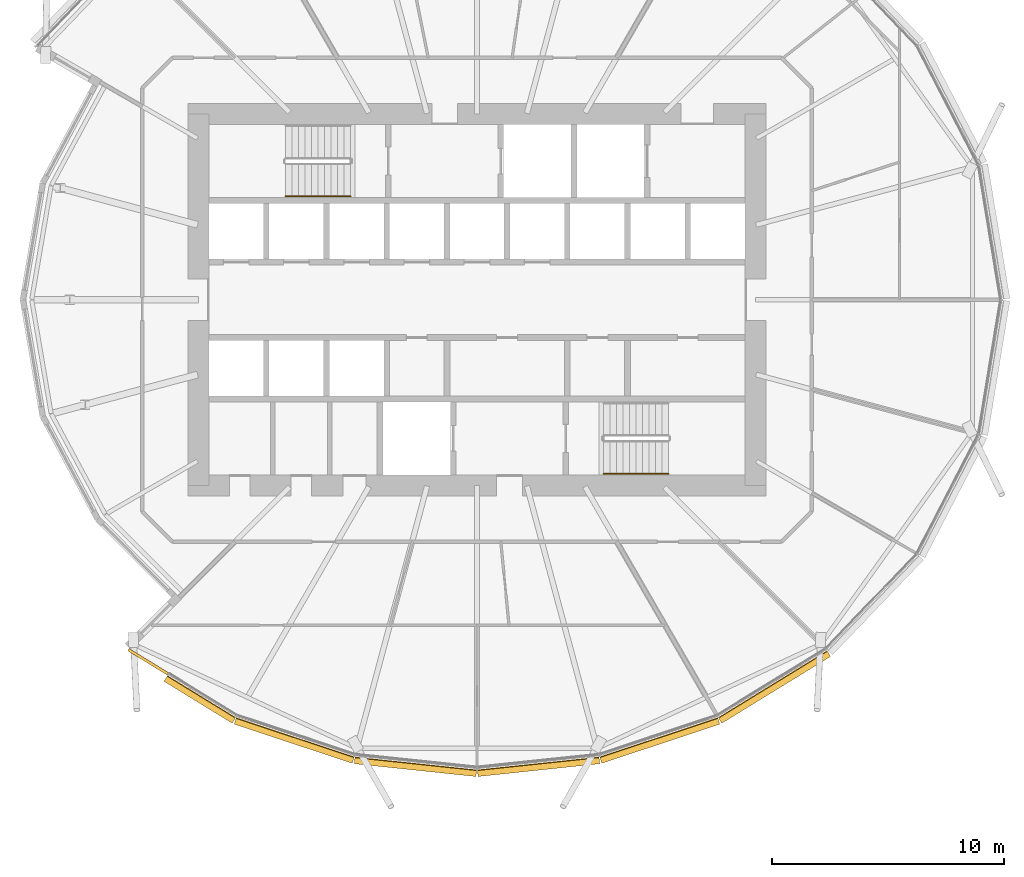
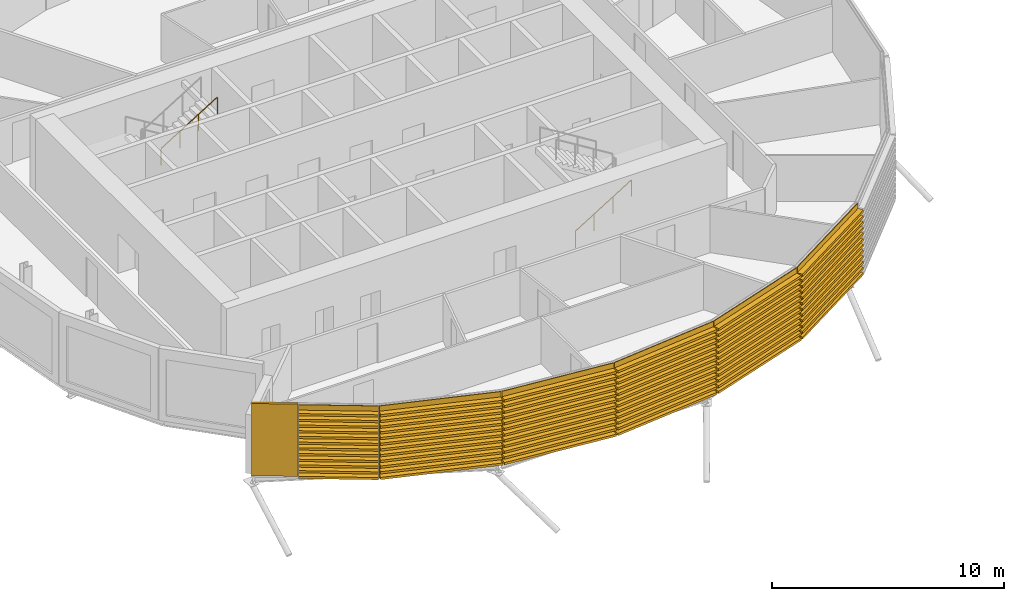
# One storey, part 33 of 38: 7 coverings, 2 railings.
"""IFC4 building model written with IfcOpenShell, lengths in metres."""

import ifcopenshell
import ifcopenshell.guid

model = None  # the IFC model being written
_history = None  # IfcOwnerHistory: only IFC2X3 demands one
_inside = {}  # id of a spatial element -> (the spatial element, [elements in it])
_under = {}  # id of a project, library or spatial element -> (it, [spatial elements below it])
_declared = {}  # id of a project -> (the project, [libraries it declares])
_typed = {}  # id of a type object -> (the type object, [elements of that type])
_made_of = {}  # id of a material, layer set ... -> (it, [elements and type objects made of it])


def new_model(schema):
    """Start an empty IFC model of exactly this schema.

    Asked for "IFC4X3", IfcOpenShell would pick the latest addendum, in which some entities
    have other attributes; the version numbers below select the first issue.
    IFC2X3 requires an IfcOwnerHistory on every rooted entity: one is made here for all.
    """
    global model, _history
    if schema == "IFC4X3":
        model = ifcopenshell.file(schema_version=(4, 3, 0, 0))
    else:
        model = ifcopenshell.file(schema=schema)
    _inside.clear()
    _under.clear()
    _declared.clear()
    _typed.clear()
    _made_of.clear()
    _history = None
    if model.schema == "IFC2X3":
        org = make("IfcOrganization", Name="unknown")
        user = make(
            "IfcPersonAndOrganization",
            ThePerson=make("IfcPerson", FamilyName="unknown"),
            TheOrganization=org,
        )
        app = make(
            "IfcApplication",
            ApplicationDeveloper=org,
            Version="unknown",
            ApplicationFullName="unknown",
            ApplicationIdentifier="unknown",
        )
        _history = make(
            "IfcOwnerHistory",
            OwningUser=user,
            OwningApplication=app,
            ChangeAction="ADDED",
            CreationDate=0,
        )
    return model


def make(cls, **values):
    """One entity of the class cls with the attributes given. An attribute that is None is left unset."""
    return model.create_entity(
        cls, **{name: value for name, value in values.items() if value is not None}
    )


def rooted(cls, **values):
    """An entity with a GlobalId (a new one), such as an element, a storey or a relation."""
    return make(cls, GlobalId=ifcopenshell.guid.new(), OwnerHistory=_history, **values)


def si_unit(unit_type, name, prefix=None):
    """IfcSIUnit, for example si_unit("LENGTHUNIT", "METRE", prefix="MILLI")."""
    return make("IfcSIUnit", UnitType=unit_type, Prefix=prefix, Name=name)


def assignment(units):
    """IfcUnitAssignment: the units of a project."""
    return None if units is None else make("IfcUnitAssignment", Units=units)


def point(xyz):
    """IfcCartesianPoint."""
    return None if xyz is None else make("IfcCartesianPoint", Coordinates=xyz)


def direction(xyz):
    """IfcDirection."""
    return None if xyz is None else make("IfcDirection", DirectionRatios=xyz)


def frame(location, z_axis=None, x_axis=None):
    """IfcAxis2Placement3D, a coordinate frame: its origin and axes. An axis left out is left unset."""
    return make(
        "IfcAxis2Placement3D",
        Location=point(location),
        Axis=direction(z_axis),
        RefDirection=direction(x_axis),
    )


def frame_2d(location, x_axis=None):
    """IfcAxis2Placement2D, a coordinate frame in the plane: its origin and x axis."""
    return make(
        "IfcAxis2Placement2D", Location=point(location), RefDirection=direction(x_axis)
    )


def origin():
    """The frame at (0, 0, 0) with its axes left unset."""
    return frame((0.0, 0.0, 0.0))


def origin_2d():
    """The frame at (0, 0) in the plane with its x axis left unset."""
    return frame_2d((0.0, 0.0))


def place(relative_to, where):
    """IfcLocalPlacement: puts the frame where relative to a parent placement (None: the world)."""
    return make(
        "IfcLocalPlacement", PlacementRelTo=relative_to, RelativePlacement=where
    )


def context(
    kind, dimensions, precision=None, world=None, true_north=None, identifier=None
):
    """IfcGeometricRepresentationContext, for example the 3D "Model" context."""
    return make(
        "IfcGeometricRepresentationContext",
        ContextIdentifier=identifier,
        ContextType=kind,
        CoordinateSpaceDimension=dimensions,
        Precision=precision,
        WorldCoordinateSystem=world,
        TrueNorth=true_north,
    )


def subcontext(parent, identifier, kind, view, scale=None):
    """IfcGeometricRepresentationSubContext, for example "Body" below "Model"."""
    return make(
        "IfcGeometricRepresentationSubContext",
        ContextIdentifier=identifier,
        ContextType=kind,
        ParentContext=parent,
        TargetScale=scale,
        TargetView=view,
    )


def project(units=None, contexts=None):
    """IfcProject with its units and contexts."""
    return rooted(
        "IfcProject",
        Name="project",
        RepresentationContexts=contexts,
        UnitsInContext=assignment(units),
    )


def spatial(cls, under=None, at=None, **own):
    """A site, building, storey or space (cls), placed at a placement, below another one or the project."""
    s = rooted(cls, ObjectPlacement=at, **own)
    if under is not None:
        _under.setdefault(under.id(), (under, []))[1].append(s)
    return s


def polyline(points):
    """IfcPolyline through the points."""
    return make("IfcPolyline", Points=[point(p) for p in points])


def profile(cls, at=None, kind="AREA", **sizes):
    """A parametric profile (cls). Its sizes go by their IFC names, for example OverallWidth=200.0."""
    return make(cls, ProfileType=kind, Position=at, **sizes)


def circle(**sizes):
    """IfcCircleProfileDef."""
    return profile("IfcCircleProfileDef", **sizes)


def outline(outer, holes=None, kind="AREA"):
    """IfcArbitraryClosedProfileDef: a profile drawn as a closed curve; with holes, ...WithVoids."""
    if holes is None:
        return make("IfcArbitraryClosedProfileDef", ProfileType=kind, OuterCurve=outer)
    return make(
        "IfcArbitraryProfileDefWithVoids",
        ProfileType=kind,
        OuterCurve=outer,
        InnerCurves=holes,
    )


def extrude(swept, where, along, depth):
    """IfcExtrudedAreaSolid: the profile swept, set in the frame where, extruded along a direction by depth."""
    return make(
        "IfcExtrudedAreaSolid",
        SweptArea=swept,
        Position=where,
        ExtrudedDirection=direction(along),
        Depth=depth,
    )


def shape(context_of_items, identifier, shape_type, items):
    """IfcShapeRepresentation: the items that make up one representation, for example the "Body"."""
    return make(
        "IfcShapeRepresentation",
        ContextOfItems=context_of_items,
        RepresentationIdentifier=identifier,
        RepresentationType=shape_type,
        Items=items,
    )


def material(Name=None, Category=None):
    """IfcMaterial."""
    return make("IfcMaterial", Name=Name, Category=Category)


def layer(
    of_material, thickness, ventilated=None, Name=None, Category=None, Priority=None
):
    """IfcMaterialLayer: one layer of a wall or slab, of a material (None: an air gap)."""
    return make(
        "IfcMaterialLayer",
        Material=of_material,
        LayerThickness=thickness,
        IsVentilated=ventilated,
        Name=Name,
        Category=Category,
        Priority=Priority,
    )


def layer_set(layers, Name=None):
    """IfcMaterialLayerSet."""
    return make("IfcMaterialLayerSet", MaterialLayers=layers, LayerSetName=Name)


def material_profile(
    of_material, cross_section, Name=None, Category=None, Priority=None
):
    """IfcMaterialProfile: a cross section and its material."""
    return make(
        "IfcMaterialProfile",
        Name=Name,
        Material=of_material,
        Profile=cross_section,
        Priority=Priority,
        Category=Category,
    )


def profile_set(profiles, Name=None, composite=None):
    """IfcMaterialProfileSet."""
    return make(
        "IfcMaterialProfileSet",
        Name=Name,
        MaterialProfiles=profiles,
        CompositeProfile=composite,
    )


def made_of(thing, what):
    """Note that an element or type object is made of a material, layer set ...; save() writes the relation."""
    if what is not None:
        _made_of.setdefault(what.id(), (what, []))[1].append(thing)
    return thing


def type_object(cls, material=None, **own):
    """A type object (cls), such as IfcWallType, which elements share."""
    return made_of(rooted(cls, **own), material)


def element(
    cls,
    number,
    at=None,
    inside=None,
    cuts=None,
    type_object=None,
    material=None,
    context=None,
    identifier="Body",
    shape_type=None,
    held_by="IfcProductDefinitionShape",
    body=None,
    shapes=None,
    **own,
):
    """One element of the class cls, such as IfcWall. Its Tag is "e" and its number.

    at: its placement. inside: the storey or other place that contains it. cuts: it is an
    opening in that element (IfcRelVoidsElement). A single representation is given by context,
    identifier, shape_type and body (its items); several are given by shapes. held_by: the class
    of the entity that holds the representations. save() writes the other relations.
    """
    e = rooted(cls, Tag="e%d" % number, ObjectPlacement=at, **own)
    if body is not None:
        shapes = [shape(context, identifier, shape_type, body)]
    if shapes is not None:
        e.Representation = make(held_by, Representations=shapes)
    if inside is not None:
        _inside.setdefault(inside.id(), (inside, []))[1].append(e)
    if cuts is not None:
        rooted(
            "IfcRelVoidsElement", RelatingBuildingElement=cuts, RelatedOpeningElement=e
        )
    if type_object is not None:
        _typed.setdefault(type_object.id(), (type_object, []))[1].append(e)
    return made_of(e, material)


def aggregate(whole, parts):
    """IfcRelAggregates: a whole, such as a stair, and the parts it consists of."""
    return rooted("IfcRelAggregates", RelatingObject=whole, RelatedObjects=parts)


def save(model, path):
    """Write the relations noted so far, then the file.

    IfcRelAggregates (storeys below a building ...), IfcRelContainedInSpatialStructure (elements
    in a storey), IfcRelDefinesByType, IfcRelAssociatesMaterial and IfcRelDeclares: one each for
    every whole, place, type object, material and project.
    """
    for whole, parts in _under.values():
        aggregate(whole, parts)
    for where, things in _inside.values():
        rooted(
            "IfcRelContainedInSpatialStructure",
            RelatedElements=things,
            RelatingStructure=where,
        )
    for kind, things in _typed.values():
        rooted("IfcRelDefinesByType", RelatedObjects=things, RelatingType=kind)
    for what, things in _made_of.values():
        rooted("IfcRelAssociatesMaterial", RelatedObjects=things, RelatingMaterial=what)
    for by, libraries in _declared.values():
        rooted("IfcRelDeclares", RelatingContext=by, RelatedDefinitions=libraries)
    model.write(path)


model = new_model("IFC4")

# Units and contexts
model_context = context("Model", 3, precision=1e-05, world=origin(), true_north=direction((0.0, 1.0)))
body_context = subcontext(model_context, "Body", "Model", "MODEL_VIEW")
ifc_project = project(units=[si_unit("LENGTHUNIT", "METRE"), si_unit("AREAUNIT", "SQUARE_METRE"), si_unit("VOLUMEUNIT", "CUBIC_METRE"), si_unit("PLANEANGLEUNIT", "RADIAN"), si_unit("MASSUNIT", "GRAM", prefix="KILO")], contexts=[model_context])

# Site, building, storey
site_placement = place(None, origin())
site = spatial("IfcSite", under=ifc_project, at=site_placement, CompositionType="ELEMENT")
building_placement = place(site_placement, origin())
building = spatial("IfcBuilding", under=site, at=building_placement, Name="Rimbun Link Towers", CompositionType="ELEMENT")
storey_placement = place(building_placement, frame((0.0, 0.0, 49.0)))
storey = spatial("IfcBuildingStorey", under=building, at=storey_placement, Name="L11", CompositionType="ELEMENT", Elevation=49.0)

# Covering
ifc_material_1 = material(Name="Terracotta", Category="masonry")
ifc_layer = layer(ifc_material_1, 0.1201171875)
ifc_layer_set = layer_set([ifc_layer], Name="LINK PIER terracotta cladding 120")
covering_type_1 = type_object("IfcCoveringType", Name="LINK PIER terracotta cladding 120", PredefinedType="CLADDING", material=ifc_layer_set)
covering_1_placement = place(storey_placement, origin())
element("IfcCovering", 1, at=covering_1_placement, inside=storey, type_object=covering_type_1, Name="LINK PIER cladding", PredefinedType="CLADDING", context=body_context, shape_type="SweptSolid", body=[
    extrude(outline(polyline([(-45.041748046875, -16.070068359375), (-46.737548828125, -15.02880859375), (-46.800537109375, -15.131103515625), (-45.1044921875, -16.17236328125), (-45.041748046875, -16.070068359375)])), origin(), (0.0, 0.0, 1.0), 3.800048828125),
])

# Railings
ifc_material_2 = material(Name="Stainless steel grade 316", Category="steel")
railing_type = type_object("IfcRailingType", Name="Stair handrail", PredefinedType="HANDRAIL", material=ifc_material_2)
for number, where, name in (
    (2, (-40.0, 4.449951171875, 2.07275390625), "L11 ST1 stair handrail 2"),
    (3, (-26.300048828125, -7.5, 0.172607421875), "L11 ST2 stair handrail 1"),
):
    element("IfcRailing", number, at=place(storey_placement, frame(where)), inside=storey, type_object=railing_type, Name=name, PredefinedType="HANDRAIL", context=body_context, shape_type="SweptSolid", body=[
        extrude(circle(Radius=0.02392578125, at=origin_2d()), frame((0.0, 0.0, 0.8759765625), z_axis=(0.851089632645, 0.0, 0.525020415988), x_axis=(0.0, 1.0, 0.0)), (0.0, 0.0, 1.0), 3.2900390625),
        extrude(circle(Radius=0.02099609375, at=origin_2d()), origin(), (0.0, 0.0, 1.0), 0.851806640625),
        extrude(circle(Radius=0.02099609375, at=origin_2d()), frame((0.933349609375, 0.0, 0.57568359375)), (0.0, 0.0, 1.0), 0.851806640625),
        extrude(circle(Radius=0.02099609375, at=origin_2d()), frame((1.86669921875, 0.0, 1.151611328125)), (0.0, 0.0, 1.0), 0.851806640625),
        extrude(circle(Radius=0.02099609375, at=origin_2d()), frame((2.800048828125, 0.0, 1.727294921875)), (0.0, 0.0, 1.0), 0.851806640625),
    ])

# Coverings
ifc_material_3 = material(Name="Terracotta", Category="masonry")
ifc_material_profile = material_profile(ifc_material_3, outline(polyline([(0.123046875, 0.0), (0.1630859375, 0.0), (0.1630859375, 0.10009765625), (0.423095703125, 0.10009765625), (0.423095703125, 0.219970703125), (0.1630859375, 0.219970703125), (0.1630859375, 0.39990234375), (0.423095703125, 0.39990234375), (0.423095703125, 0.52001953125), (0.1630859375, 0.52001953125), (0.1630859375, 0.699951171875), (0.423095703125, 0.699951171875), (0.423095703125, 0.820068359375), (0.1630859375, 0.820068359375), (0.1630859375, 1.0), (0.423095703125, 1.0), (0.423095703125, 1.1201171875), (0.1630859375, 1.1201171875), (0.1630859375, 1.300048828125), (0.423095703125, 1.300048828125), (0.423095703125, 1.419921875), (0.1630859375, 1.419921875), (0.1630859375, 1.60009765625), (0.423095703125, 1.60009765625), (0.423095703125, 1.719970703125), (0.1630859375, 1.719970703125), (0.1630859375, 1.89990234375), (0.423095703125, 1.89990234375), (0.423095703125, 2.02001953125), (0.1630859375, 2.02001953125), (0.1630859375, 2.199951171875), (0.423095703125, 2.199951171875), (0.423095703125, 2.320068359375), (0.1630859375, 2.320068359375), (0.1630859375, 2.5), (0.423095703125, 2.5), (0.423095703125, 2.6201171875), (0.1630859375, 2.6201171875), (0.1630859375, 2.800048828125), (0.423095703125, 2.800048828125), (0.423095703125, 2.919921875), (0.1630859375, 2.919921875), (0.1630859375, 3.10009765625), (0.423095703125, 3.10009765625), (0.423095703125, 3.219970703125), (0.1630859375, 3.219970703125), (0.1630859375, 3.39990234375), (0.423095703125, 3.39990234375), (0.423095703125, 3.52001953125), (0.1630859375, 3.52001953125), (0.1630859375, 3.800048828125), (0.123046875, 3.800048828125), (0.123046875, 0.0)])), Name="BAGUETTE 120X300")
ifc_profile_set = profile_set([ifc_material_profile], Name="Terracotta")
covering_type_2 = type_object("IfcCoveringType", Name="TERRACOTTA BAGUETTE 120X300 H3800", PredefinedType="CLADDING", material=ifc_profile_set)
covering_2_placement = place(storey_placement, frame((-42.07861328125, -17.8896484375, 0.0), z_axis=(-0.852173441979, 0.523259423981, 0.0), x_axis=(-0.523259423981, -0.852173441979, 0.0)))
element("IfcCovering", 4, at=covering_2_placement, inside=storey, type_object=covering_type_2, Name="TERRACOTTA BAGUETTE", PredefinedType="CLADDING", context=body_context, shape_type="SweptSolid", body=[
    extrude(outline(polyline([(0.123046875, 0.0), (0.1630859375, 0.0), (0.1630859375, 0.10009765625), (0.423095703125, 0.10009765625), (0.423095703125, 0.219970703125), (0.1630859375, 0.219970703125), (0.1630859375, 0.39990234375), (0.423095703125, 0.39990234375), (0.423095703125, 0.52001953125), (0.1630859375, 0.52001953125), (0.1630859375, 0.699951171875), (0.423095703125, 0.699951171875), (0.423095703125, 0.820068359375), (0.1630859375, 0.820068359375), (0.1630859375, 1.0), (0.423095703125, 1.0), (0.423095703125, 1.1201171875), (0.1630859375, 1.1201171875), (0.1630859375, 1.300048828125), (0.423095703125, 1.300048828125), (0.423095703125, 1.419921875), (0.1630859375, 1.419921875), (0.1630859375, 1.60009765625), (0.423095703125, 1.60009765625), (0.423095703125, 1.719970703125), (0.1630859375, 1.719970703125), (0.1630859375, 1.89990234375), (0.423095703125, 1.89990234375), (0.423095703125, 2.02001953125), (0.1630859375, 2.02001953125), (0.1630859375, 2.199951171875), (0.423095703125, 2.199951171875), (0.423095703125, 2.320068359375), (0.1630859375, 2.320068359375), (0.1630859375, 2.5), (0.423095703125, 2.5), (0.423095703125, 2.6201171875), (0.1630859375, 2.6201171875), (0.1630859375, 2.800048828125), (0.423095703125, 2.800048828125), (0.423095703125, 2.919921875), (0.1630859375, 2.919921875), (0.1630859375, 3.10009765625), (0.423095703125, 3.10009765625), (0.423095703125, 3.219970703125), (0.1630859375, 3.219970703125), (0.1630859375, 3.39990234375), (0.423095703125, 3.39990234375), (0.423095703125, 3.52001953125), (0.1630859375, 3.52001953125), (0.1630859375, 3.800048828125), (0.123046875, 3.800048828125), (0.123046875, 0.0)])), origin(), (0.0, 0.0, 1.0), 3.447021484375),
])
covering_3_placement = place(storey_placement, frame((-36.994873046875, -19.57421875, 0.0), z_axis=(-0.94924251763, 0.314545136227, 0.0), x_axis=(-0.314545136227, -0.94924251763, 0.0)))
element("IfcCovering", 5, at=covering_3_placement, inside=storey, type_object=covering_type_2, Name="TERRACOTTA BAGUETTE", PredefinedType="CLADDING", context=body_context, shape_type="SweptSolid", body=[
    extrude(outline(polyline([(0.123046875, 0.0), (0.1630859375, 0.0), (0.1630859375, 0.10009765625), (0.423095703125, 0.10009765625), (0.423095703125, 0.219970703125), (0.1630859375, 0.219970703125), (0.1630859375, 0.39990234375), (0.423095703125, 0.39990234375), (0.423095703125, 0.52001953125), (0.1630859375, 0.52001953125), (0.1630859375, 0.699951171875), (0.423095703125, 0.699951171875), (0.423095703125, 0.820068359375), (0.1630859375, 0.820068359375), (0.1630859375, 1.0), (0.423095703125, 1.0), (0.423095703125, 1.1201171875), (0.1630859375, 1.1201171875), (0.1630859375, 1.300048828125), (0.423095703125, 1.300048828125), (0.423095703125, 1.419921875), (0.1630859375, 1.419921875), (0.1630859375, 1.60009765625), (0.423095703125, 1.60009765625), (0.423095703125, 1.719970703125), (0.1630859375, 1.719970703125), (0.1630859375, 1.89990234375), (0.423095703125, 1.89990234375), (0.423095703125, 2.02001953125), (0.1630859375, 2.02001953125), (0.1630859375, 2.199951171875), (0.423095703125, 2.199951171875), (0.423095703125, 2.320068359375), (0.1630859375, 2.320068359375), (0.1630859375, 2.5), (0.423095703125, 2.5), (0.423095703125, 2.6201171875), (0.1630859375, 2.6201171875), (0.1630859375, 2.800048828125), (0.423095703125, 2.800048828125), (0.423095703125, 2.919921875), (0.1630859375, 2.919921875), (0.1630859375, 3.10009765625), (0.423095703125, 3.10009765625), (0.423095703125, 3.219970703125), (0.1630859375, 3.219970703125), (0.1630859375, 3.39990234375), (0.423095703125, 3.39990234375), (0.423095703125, 3.52001953125), (0.1630859375, 3.52001953125), (0.1630859375, 3.800048828125), (0.123046875, 3.800048828125), (0.123046875, 0.0)])), origin(), (0.0, 0.0, 1.0), 5.35546875),
])
for number, where, z_axis, x_axis, name in (
    (6, (-31.75, -20.126708984375, 0.0), (-0.994497586765, 0.104759486052, 0.0), (-0.104759486052, -0.994497586765, 0.0), "TERRACOTTA BAGUETTE"),
    (7, (-26.505126953125, -19.57421875, 0.0), (-0.994497586765, -0.104759486052, 0.0), (0.104759486052, -0.994497586765, 0.0), "TERRACOTTA BAGUETTE"),
):
    element("IfcCovering", number, at=place(storey_placement, frame(where, z_axis=z_axis, x_axis=x_axis)), inside=storey, type_object=covering_type_2, Name=name, PredefinedType="CLADDING", context=body_context, shape_type="SweptSolid", body=[
        extrude(outline(polyline([(0.123046875, 0.0), (0.1630859375, 0.0), (0.1630859375, 0.10009765625), (0.423095703125, 0.10009765625), (0.423095703125, 0.219970703125), (0.1630859375, 0.219970703125), (0.1630859375, 0.39990234375), (0.423095703125, 0.39990234375), (0.423095703125, 0.52001953125), (0.1630859375, 0.52001953125), (0.1630859375, 0.699951171875), (0.423095703125, 0.699951171875), (0.423095703125, 0.820068359375), (0.1630859375, 0.820068359375), (0.1630859375, 1.0), (0.423095703125, 1.0), (0.423095703125, 1.1201171875), (0.1630859375, 1.1201171875), (0.1630859375, 1.300048828125), (0.423095703125, 1.300048828125), (0.423095703125, 1.419921875), (0.1630859375, 1.419921875), (0.1630859375, 1.60009765625), (0.423095703125, 1.60009765625), (0.423095703125, 1.719970703125), (0.1630859375, 1.719970703125), (0.1630859375, 1.89990234375), (0.423095703125, 1.89990234375), (0.423095703125, 2.02001953125), (0.1630859375, 2.02001953125), (0.1630859375, 2.199951171875), (0.423095703125, 2.199951171875), (0.423095703125, 2.320068359375), (0.1630859375, 2.320068359375), (0.1630859375, 2.5), (0.423095703125, 2.5), (0.423095703125, 2.6201171875), (0.1630859375, 2.6201171875), (0.1630859375, 2.800048828125), (0.423095703125, 2.800048828125), (0.423095703125, 2.919921875), (0.1630859375, 2.919921875), (0.1630859375, 3.10009765625), (0.423095703125, 3.10009765625), (0.423095703125, 3.219970703125), (0.1630859375, 3.219970703125), (0.1630859375, 3.39990234375), (0.423095703125, 3.39990234375), (0.423095703125, 3.52001953125), (0.1630859375, 3.52001953125), (0.1630859375, 3.800048828125), (0.123046875, 3.800048828125), (0.123046875, 0.0)])), origin(), (0.0, 0.0, 1.0), 5.27392578125),
    ])
covering_4_placement = place(storey_placement, frame((-21.42138671875, -17.8896484375, 0.0), z_axis=(-0.94924251763, -0.314545136227, 0.0), x_axis=(0.314545136227, -0.94924251763, 0.0)))
element("IfcCovering", 8, at=covering_4_placement, inside=storey, type_object=covering_type_2, Name="TERRACOTTA BAGUETTE", PredefinedType="CLADDING", context=body_context, shape_type="SweptSolid", body=[
    extrude(outline(polyline([(0.123046875, 0.0), (0.1630859375, 0.0), (0.1630859375, 0.10009765625), (0.423095703125, 0.10009765625), (0.423095703125, 0.219970703125), (0.1630859375, 0.219970703125), (0.1630859375, 0.39990234375), (0.423095703125, 0.39990234375), (0.423095703125, 0.52001953125), (0.1630859375, 0.52001953125), (0.1630859375, 0.699951171875), (0.423095703125, 0.699951171875), (0.423095703125, 0.820068359375), (0.1630859375, 0.820068359375), (0.1630859375, 1.0), (0.423095703125, 1.0), (0.423095703125, 1.1201171875), (0.1630859375, 1.1201171875), (0.1630859375, 1.300048828125), (0.423095703125, 1.300048828125), (0.423095703125, 1.419921875), (0.1630859375, 1.419921875), (0.1630859375, 1.60009765625), (0.423095703125, 1.60009765625), (0.423095703125, 1.719970703125), (0.1630859375, 1.719970703125), (0.1630859375, 1.89990234375), (0.423095703125, 1.89990234375), (0.423095703125, 2.02001953125), (0.1630859375, 2.02001953125), (0.1630859375, 2.199951171875), (0.423095703125, 2.199951171875), (0.423095703125, 2.320068359375), (0.1630859375, 2.320068359375), (0.1630859375, 2.5), (0.423095703125, 2.5), (0.423095703125, 2.6201171875), (0.1630859375, 2.6201171875), (0.1630859375, 2.800048828125), (0.423095703125, 2.800048828125), (0.423095703125, 2.919921875), (0.1630859375, 2.919921875), (0.1630859375, 3.10009765625), (0.423095703125, 3.10009765625), (0.423095703125, 3.219970703125), (0.1630859375, 3.219970703125), (0.1630859375, 3.39990234375), (0.423095703125, 3.39990234375), (0.423095703125, 3.52001953125), (0.1630859375, 3.52001953125), (0.1630859375, 3.800048828125), (0.123046875, 3.800048828125), (0.123046875, 0.0)])), origin(), (0.0, 0.0, 1.0), 5.35546875),
])
covering_5_placement = place(storey_placement, frame((-16.73681640625, -15.01318359375, 0.0), z_axis=(-0.852173310307, -0.523259638422, 0.0), x_axis=(0.523259638422, -0.852173310307, 0.0)))
element("IfcCovering", 9, at=covering_5_placement, inside=storey, type_object=covering_type_2, Name="TERRACOTTA BAGUETTE", PredefinedType="CLADDING", context=body_context, shape_type="SweptSolid", body=[
    extrude(outline(polyline([(0.123046875, 0.0), (0.1630859375, 0.0), (0.1630859375, 0.10009765625), (0.423095703125, 0.10009765625), (0.423095703125, 0.219970703125), (0.1630859375, 0.219970703125), (0.1630859375, 0.39990234375), (0.423095703125, 0.39990234375), (0.423095703125, 0.52001953125), (0.1630859375, 0.52001953125), (0.1630859375, 0.699951171875), (0.423095703125, 0.699951171875), (0.423095703125, 0.820068359375), (0.1630859375, 0.820068359375), (0.1630859375, 1.0), (0.423095703125, 1.0), (0.423095703125, 1.1201171875), (0.1630859375, 1.1201171875), (0.1630859375, 1.300048828125), (0.423095703125, 1.300048828125), (0.423095703125, 1.419921875), (0.1630859375, 1.419921875), (0.1630859375, 1.60009765625), (0.423095703125, 1.60009765625), (0.423095703125, 1.719970703125), (0.1630859375, 1.719970703125), (0.1630859375, 1.89990234375), (0.423095703125, 1.89990234375), (0.423095703125, 2.02001953125), (0.1630859375, 2.02001953125), (0.1630859375, 2.199951171875), (0.423095703125, 2.199951171875), (0.423095703125, 2.320068359375), (0.1630859375, 2.320068359375), (0.1630859375, 2.5), (0.423095703125, 2.5), (0.423095703125, 2.6201171875), (0.1630859375, 2.6201171875), (0.1630859375, 2.800048828125), (0.423095703125, 2.800048828125), (0.423095703125, 2.919921875), (0.1630859375, 2.919921875), (0.1630859375, 3.10009765625), (0.423095703125, 3.10009765625), (0.423095703125, 3.219970703125), (0.1630859375, 3.219970703125), (0.1630859375, 3.39990234375), (0.423095703125, 3.39990234375), (0.423095703125, 3.52001953125), (0.1630859375, 3.52001953125), (0.1630859375, 3.800048828125), (0.123046875, 3.800048828125), (0.123046875, 0.0)])), origin(), (0.0, 0.0, 1.0), 5.497314453125),
])

save(model, "model.ifc")
